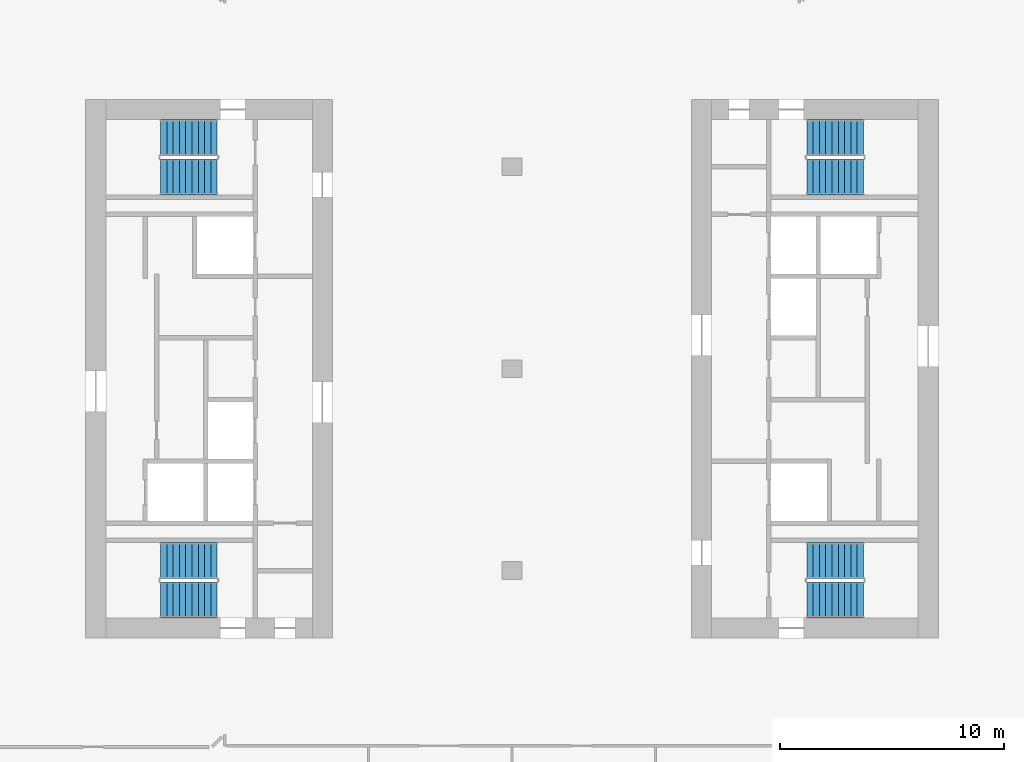
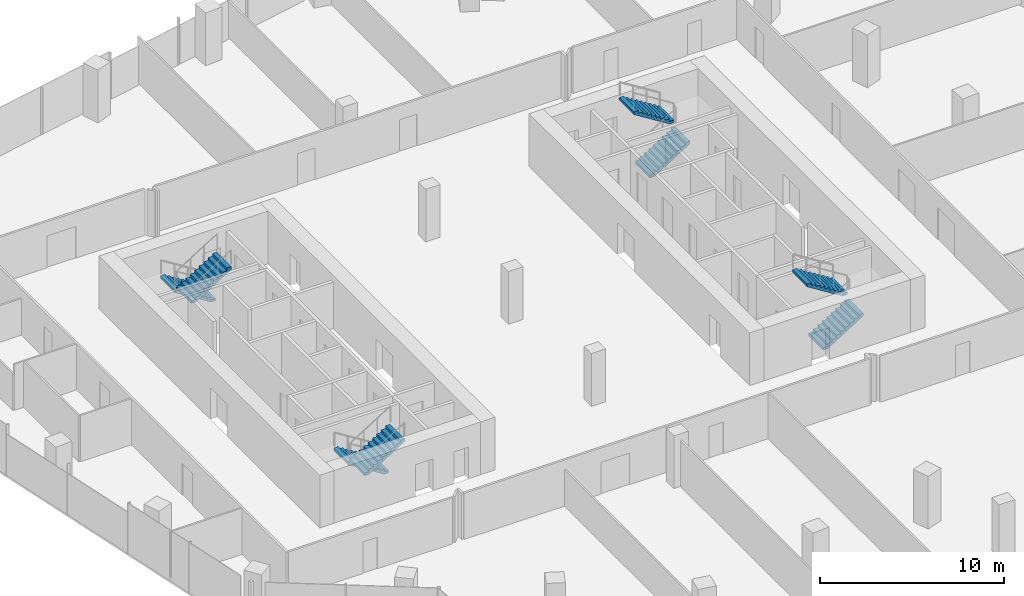
# One storey, part 21 of 24: 8 stair flights, 4 elements without a shape of their own.
"""IFC4 building model written with IfcOpenShell, lengths in metres."""

from ifc_helpers import new_model, si_unit, direction, frame, origin, place, context, subcontext, project, spatial, polyline, outline, extrude, material, type_object, element, aggregate, save


model = new_model("IFC4")

# Units and contexts
model_context = context("Model", 3, precision=1e-05, world=origin(), true_north=direction((0.0, 1.0)))
body_context = subcontext(model_context, "Body", "Model", "MODEL_VIEW")
ifc_project = project(units=[si_unit("LENGTHUNIT", "METRE"), si_unit("AREAUNIT", "SQUARE_METRE"), si_unit("VOLUMEUNIT", "CUBIC_METRE"), si_unit("PLANEANGLEUNIT", "RADIAN"), si_unit("MASSUNIT", "GRAM", prefix="KILO")], contexts=[model_context])

# Site, building, storey
site_placement = place(None, origin())
site = spatial("IfcSite", under=ifc_project, at=site_placement, CompositionType="ELEMENT")
building_placement = place(site_placement, origin())
building = spatial("IfcBuilding", under=site, at=building_placement, Name="Orlundy Tower", CompositionType="ELEMENT")
storey_placement = place(building_placement, frame((0.0, 0.0, 246.0)))
storey = spatial("IfcBuildingStorey", under=building, at=storey_placement, Name="L65", CompositionType="ELEMENT", Elevation=246.0)

# Stair, stair flights
ifc_material_1 = material(Name="Concrete C50/60", Category="concrete")
stair_type = type_object("IfcStairType", Name="Exit Stair 20 risers", PredefinedType="HALF_TURN_STAIR", material=ifc_material_1)
stair_1_placement = place(storey_placement, origin())
stair_1 = element("IfcStair", 1, at=stair_1_placement, inside=storey, type_object=stair_type, Name="L65 Exit Stair ST-W1", PredefinedType="HALF_TURN_STAIR")
ifc_material_2 = material(Name="Concrete C50/60", Category="concrete")
stair_flight_type = type_object("IfcStairFlightType", Name="Stair Flight 10 risers", PredefinedType="STRAIGHT", material=ifc_material_2)
stair_flight_1_placement = place(storey_placement, frame((-13.139892578125, 10.300048828125, 0.0), z_axis=(0.0, 0.0, 1.0), x_axis=(-1.0, 0.0, 0.0)))
stair_flight_1 = element("IfcStairFlight", 2, at=stair_flight_1_placement, type_object=stair_flight_type, Name="ST-W1 flight 1", NumberOfRisers=10, NumberOfTreads=9, PredefinedType="STRAIGHT", RiserHeight=0.175, TreadLength=0.28, context=body_context, shape_type="SweptSolid", body=[
    extrude(outline(polyline([(0.0, 0.0), (0.0, 0.175048828125), (0.280029296875, 0.175048828125), (0.280029296875, 0.35009765625), (0.56005859375, 0.35009765625), (0.56005859375, 0.52490234375), (0.840087890625, 0.52490234375), (0.840087890625, 0.699951171875), (1.1201171875, 0.699951171875), (1.1201171875, 0.875), (1.39990234375, 0.875), (1.39990234375, 1.050048828125), (1.679931640625, 1.050048828125), (1.679931640625, 1.22509765625), (1.9599609375, 1.22509765625), (1.9599609375, 1.39990234375), (2.239990234375, 1.39990234375), (2.239990234375, 1.574951171875), (2.52001953125, 1.574951171875), (2.52001953125, 1.75), (2.52001953125, 1.398193359375), (0.28271484375, 0.0), (0.0, 0.0)])), frame((0.0, 0.800048828125, 0.0), z_axis=(0.0, -1.0, 0.0), x_axis=(1.0, 0.0, 0.0)), (0.0, 0.0, 1.0), 1.60009765625),
])
stair_flight_2_placement = place(storey_placement, frame((-15.659912109375, 8.550048828125, 1.75), z_axis=(0.0, 0.0, 1.0), x_axis=(1.0, 0.0, 0.0)))
stair_flight_2 = element("IfcStairFlight", 3, at=stair_flight_2_placement, type_object=stair_flight_type, Name="ST-W1 flight 2", NumberOfRisers=10, NumberOfTreads=9, PredefinedType="STRAIGHT", RiserHeight=0.175, TreadLength=0.28, context=body_context, shape_type="SweptSolid", body=[
    extrude(outline(polyline([(0.0, 0.0), (0.0, 0.175048828125), (0.280029296875, 0.175048828125), (0.280029296875, 0.35009765625), (0.56005859375, 0.35009765625), (0.56005859375, 0.52490234375), (0.840087890625, 0.52490234375), (0.840087890625, 0.699951171875), (1.1201171875, 0.699951171875), (1.1201171875, 0.875), (1.39990234375, 0.875), (1.39990234375, 1.050048828125), (1.679931640625, 1.050048828125), (1.679931640625, 1.22509765625), (1.9599609375, 1.22509765625), (1.9599609375, 1.39990234375), (2.239990234375, 1.39990234375), (2.239990234375, 1.574951171875), (2.52001953125, 1.574951171875), (2.52001953125, 1.75), (2.52001953125, 1.398193359375), (0.28271484375, 0.0), (0.0, 0.0)])), frame((0.0, 0.800048828125, 0.0), z_axis=(0.0, -1.0, 0.0), x_axis=(1.0, 0.0, 0.0)), (0.0, 0.0, 1.0), 1.60009765625),
])
aggregate(stair_1, [stair_flight_1, stair_flight_2])

stair_2_placement = place(storey_placement, origin())
stair_2 = element("IfcStair", 4, at=stair_2_placement, inside=storey, type_object=stair_type, Name="L65 Exit Stair ST-W2", PredefinedType="HALF_TURN_STAIR")
stair_flight_3_placement = place(storey_placement, frame((-13.139892578125, -8.550048828125, 0.0), z_axis=(0.0, 0.0, 1.0), x_axis=(-1.0, 0.0, 0.0)))
stair_flight_3 = element("IfcStairFlight", 5, at=stair_flight_3_placement, type_object=stair_flight_type, Name="ST-W2 flight 1", NumberOfRisers=10, NumberOfTreads=9, PredefinedType="STRAIGHT", RiserHeight=0.175, TreadLength=0.28, context=body_context, shape_type="SweptSolid", body=[
    extrude(outline(polyline([(0.0, 0.0), (0.0, 0.175048828125), (0.280029296875, 0.175048828125), (0.280029296875, 0.35009765625), (0.56005859375, 0.35009765625), (0.56005859375, 0.52490234375), (0.840087890625, 0.52490234375), (0.840087890625, 0.699951171875), (1.1201171875, 0.699951171875), (1.1201171875, 0.875), (1.39990234375, 0.875), (1.39990234375, 1.050048828125), (1.679931640625, 1.050048828125), (1.679931640625, 1.22509765625), (1.9599609375, 1.22509765625), (1.9599609375, 1.39990234375), (2.239990234375, 1.39990234375), (2.239990234375, 1.574951171875), (2.52001953125, 1.574951171875), (2.52001953125, 1.75), (2.52001953125, 1.398193359375), (0.28271484375, 0.0), (0.0, 0.0)])), frame((0.0, 0.800048828125, 0.0), z_axis=(0.0, -1.0, 0.0), x_axis=(1.0, 0.0, 0.0)), (0.0, 0.0, 1.0), 1.60009765625),
])
stair_flight_4_placement = place(storey_placement, frame((-15.659912109375, -10.300048828125, 1.75), z_axis=(0.0, 0.0, 1.0), x_axis=(1.0, 0.0, 0.0)))
stair_flight_4 = element("IfcStairFlight", 6, at=stair_flight_4_placement, type_object=stair_flight_type, Name="ST-W2 flight 2", NumberOfRisers=10, NumberOfTreads=9, PredefinedType="STRAIGHT", RiserHeight=0.175, TreadLength=0.28, context=body_context, shape_type="SweptSolid", body=[
    extrude(outline(polyline([(0.0, 0.0), (0.0, 0.175048828125), (0.280029296875, 0.175048828125), (0.280029296875, 0.35009765625), (0.56005859375, 0.35009765625), (0.56005859375, 0.52490234375), (0.840087890625, 0.52490234375), (0.840087890625, 0.699951171875), (1.1201171875, 0.699951171875), (1.1201171875, 0.875), (1.39990234375, 0.875), (1.39990234375, 1.050048828125), (1.679931640625, 1.050048828125), (1.679931640625, 1.22509765625), (1.9599609375, 1.22509765625), (1.9599609375, 1.39990234375), (2.239990234375, 1.39990234375), (2.239990234375, 1.574951171875), (2.52001953125, 1.574951171875), (2.52001953125, 1.75), (2.52001953125, 1.398193359375), (0.28271484375, 0.0), (0.0, 0.0)])), frame((0.0, 0.800048828125, 0.0), z_axis=(0.0, -1.0, 0.0), x_axis=(1.0, 0.0, 0.0)), (0.0, 0.0, 1.0), 1.60009765625),
])
aggregate(stair_2, [stair_flight_3, stair_flight_4])

stair_3_placement = place(storey_placement, origin())
stair_3 = element("IfcStair", 7, at=stair_3_placement, inside=storey, type_object=stair_type, Name="L65 Exit Stair ST-E1", PredefinedType="HALF_TURN_STAIR")
stair_flight_5_placement = place(storey_placement, frame((13.139892578125, -10.300048828125, 0.0), z_axis=(0.0, 0.0, 1.0), x_axis=(1.0, 0.0, 0.0)))
stair_flight_5 = element("IfcStairFlight", 8, at=stair_flight_5_placement, type_object=stair_flight_type, Name="ST-E1 flight 1", NumberOfRisers=10, NumberOfTreads=9, PredefinedType="STRAIGHT", RiserHeight=0.175, TreadLength=0.28, context=body_context, shape_type="SweptSolid", body=[
    extrude(outline(polyline([(0.0, 0.0), (0.0, 0.175048828125), (0.280029296875, 0.175048828125), (0.280029296875, 0.35009765625), (0.56005859375, 0.35009765625), (0.56005859375, 0.52490234375), (0.840087890625, 0.52490234375), (0.840087890625, 0.699951171875), (1.1201171875, 0.699951171875), (1.1201171875, 0.875), (1.39990234375, 0.875), (1.39990234375, 1.050048828125), (1.679931640625, 1.050048828125), (1.679931640625, 1.22509765625), (1.9599609375, 1.22509765625), (1.9599609375, 1.39990234375), (2.239990234375, 1.39990234375), (2.239990234375, 1.574951171875), (2.52001953125, 1.574951171875), (2.52001953125, 1.75), (2.52001953125, 1.398193359375), (0.28271484375, 0.0), (0.0, 0.0)])), frame((0.0, 0.800048828125, 0.0), z_axis=(0.0, -1.0, 0.0), x_axis=(1.0, 0.0, 0.0)), (0.0, 0.0, 1.0), 1.60009765625),
])
stair_flight_6_placement = place(storey_placement, frame((15.659912109375, -8.550048828125, 1.75), z_axis=(0.0, 0.0, 1.0), x_axis=(-1.0, 0.0, 0.0)))
stair_flight_6 = element("IfcStairFlight", 9, at=stair_flight_6_placement, type_object=stair_flight_type, Name="ST-E1 flight 2", NumberOfRisers=10, NumberOfTreads=9, PredefinedType="STRAIGHT", RiserHeight=0.175, TreadLength=0.28, context=body_context, shape_type="SweptSolid", body=[
    extrude(outline(polyline([(0.0, 0.0), (0.0, 0.175048828125), (0.280029296875, 0.175048828125), (0.280029296875, 0.35009765625), (0.56005859375, 0.35009765625), (0.56005859375, 0.52490234375), (0.840087890625, 0.52490234375), (0.840087890625, 0.699951171875), (1.1201171875, 0.699951171875), (1.1201171875, 0.875), (1.39990234375, 0.875), (1.39990234375, 1.050048828125), (1.679931640625, 1.050048828125), (1.679931640625, 1.22509765625), (1.9599609375, 1.22509765625), (1.9599609375, 1.39990234375), (2.239990234375, 1.39990234375), (2.239990234375, 1.574951171875), (2.52001953125, 1.574951171875), (2.52001953125, 1.75), (2.52001953125, 1.398193359375), (0.28271484375, 0.0), (0.0, 0.0)])), frame((0.0, 0.800048828125, 0.0), z_axis=(0.0, -1.0, 0.0), x_axis=(1.0, 0.0, 0.0)), (0.0, 0.0, 1.0), 1.60009765625),
])
aggregate(stair_3, [stair_flight_5, stair_flight_6])

stair_4_placement = place(storey_placement, origin())
stair_4 = element("IfcStair", 10, at=stair_4_placement, inside=storey, type_object=stair_type, Name="L65 Exit Stair ST-E2", PredefinedType="HALF_TURN_STAIR")
stair_flight_7_placement = place(storey_placement, frame((13.139892578125, 8.550048828125, 0.0), z_axis=(0.0, 0.0, 1.0), x_axis=(1.0, 0.0, 0.0)))
stair_flight_7 = element("IfcStairFlight", 11, at=stair_flight_7_placement, type_object=stair_flight_type, Name="ST-E2 flight 1", NumberOfRisers=10, NumberOfTreads=9, PredefinedType="STRAIGHT", RiserHeight=0.175, TreadLength=0.28, context=body_context, shape_type="SweptSolid", body=[
    extrude(outline(polyline([(0.0, 0.0), (0.0, 0.175048828125), (0.280029296875, 0.175048828125), (0.280029296875, 0.35009765625), (0.56005859375, 0.35009765625), (0.56005859375, 0.52490234375), (0.840087890625, 0.52490234375), (0.840087890625, 0.699951171875), (1.1201171875, 0.699951171875), (1.1201171875, 0.875), (1.39990234375, 0.875), (1.39990234375, 1.050048828125), (1.679931640625, 1.050048828125), (1.679931640625, 1.22509765625), (1.9599609375, 1.22509765625), (1.9599609375, 1.39990234375), (2.239990234375, 1.39990234375), (2.239990234375, 1.574951171875), (2.52001953125, 1.574951171875), (2.52001953125, 1.75), (2.52001953125, 1.398193359375), (0.28271484375, 0.0), (0.0, 0.0)])), frame((0.0, 0.800048828125, 0.0), z_axis=(0.0, -1.0, 0.0), x_axis=(1.0, 0.0, 0.0)), (0.0, 0.0, 1.0), 1.60009765625),
])
stair_flight_8_placement = place(storey_placement, frame((15.659912109375, 10.300048828125, 1.75), z_axis=(0.0, 0.0, 1.0), x_axis=(-1.0, 0.0, 0.0)))
stair_flight_8 = element("IfcStairFlight", 12, at=stair_flight_8_placement, type_object=stair_flight_type, Name="ST-E2 flight 2", NumberOfRisers=10, NumberOfTreads=9, PredefinedType="STRAIGHT", RiserHeight=0.175, TreadLength=0.28, context=body_context, shape_type="SweptSolid", body=[
    extrude(outline(polyline([(0.0, 0.0), (0.0, 0.175048828125), (0.280029296875, 0.175048828125), (0.280029296875, 0.35009765625), (0.56005859375, 0.35009765625), (0.56005859375, 0.52490234375), (0.840087890625, 0.52490234375), (0.840087890625, 0.699951171875), (1.1201171875, 0.699951171875), (1.1201171875, 0.875), (1.39990234375, 0.875), (1.39990234375, 1.050048828125), (1.679931640625, 1.050048828125), (1.679931640625, 1.22509765625), (1.9599609375, 1.22509765625), (1.9599609375, 1.39990234375), (2.239990234375, 1.39990234375), (2.239990234375, 1.574951171875), (2.52001953125, 1.574951171875), (2.52001953125, 1.75), (2.52001953125, 1.398193359375), (0.28271484375, 0.0), (0.0, 0.0)])), frame((0.0, 0.800048828125, 0.0), z_axis=(0.0, -1.0, 0.0), x_axis=(1.0, 0.0, 0.0)), (0.0, 0.0, 1.0), 1.60009765625),
])
aggregate(stair_4, [stair_flight_7, stair_flight_8])

save(model, "model.ifc")
